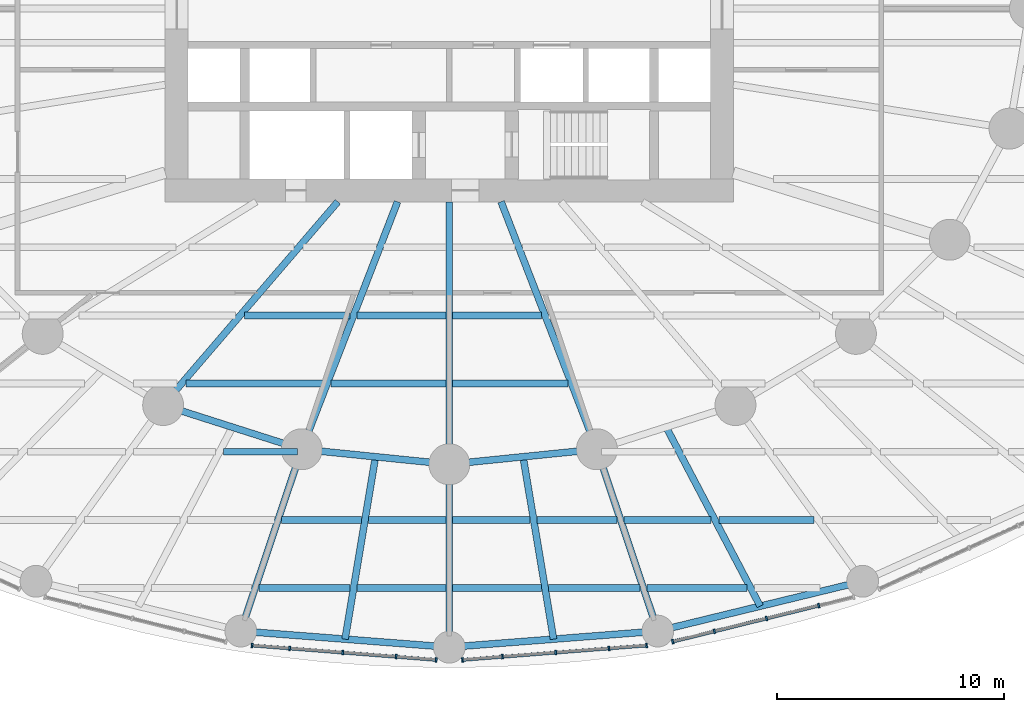
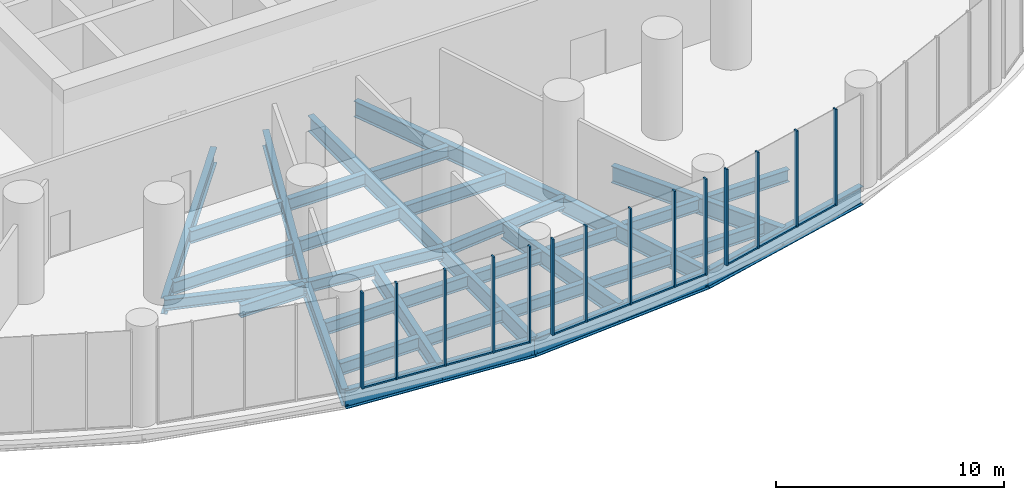
# One storey, part 4 of 23: 34 beams, 25 members, 3 elements without a shape of their own.
"""IFC4 building model written with IfcOpenShell, lengths in metres."""

import ifcopenshell
import ifcopenshell.guid

model = None  # the IFC model being written
_history = None  # IfcOwnerHistory: only IFC2X3 demands one
_inside = {}  # id of a spatial element -> (the spatial element, [elements in it])
_under = {}  # id of a project, library or spatial element -> (it, [spatial elements below it])
_declared = {}  # id of a project -> (the project, [libraries it declares])
_typed = {}  # id of a type object -> (the type object, [elements of that type])
_made_of = {}  # id of a material, layer set ... -> (it, [elements and type objects made of it])


def new_model(schema):
    """Start an empty IFC model of exactly this schema.

    Asked for "IFC4X3", IfcOpenShell would pick the latest addendum, in which some entities
    have other attributes; the version numbers below select the first issue.
    IFC2X3 requires an IfcOwnerHistory on every rooted entity: one is made here for all.
    """
    global model, _history
    if schema == "IFC4X3":
        model = ifcopenshell.file(schema_version=(4, 3, 0, 0))
    else:
        model = ifcopenshell.file(schema=schema)
    _inside.clear()
    _under.clear()
    _declared.clear()
    _typed.clear()
    _made_of.clear()
    _history = None
    if model.schema == "IFC2X3":
        org = make("IfcOrganization", Name="unknown")
        user = make(
            "IfcPersonAndOrganization",
            ThePerson=make("IfcPerson", FamilyName="unknown"),
            TheOrganization=org,
        )
        app = make(
            "IfcApplication",
            ApplicationDeveloper=org,
            Version="unknown",
            ApplicationFullName="unknown",
            ApplicationIdentifier="unknown",
        )
        _history = make(
            "IfcOwnerHistory",
            OwningUser=user,
            OwningApplication=app,
            ChangeAction="ADDED",
            CreationDate=0,
        )
    return model


def make(cls, **values):
    """One entity of the class cls with the attributes given. An attribute that is None is left unset."""
    return model.create_entity(
        cls, **{name: value for name, value in values.items() if value is not None}
    )


def rooted(cls, **values):
    """An entity with a GlobalId (a new one), such as an element, a storey or a relation."""
    return make(cls, GlobalId=ifcopenshell.guid.new(), OwnerHistory=_history, **values)


def si_unit(unit_type, name, prefix=None):
    """IfcSIUnit, for example si_unit("LENGTHUNIT", "METRE", prefix="MILLI")."""
    return make("IfcSIUnit", UnitType=unit_type, Prefix=prefix, Name=name)


def assignment(units):
    """IfcUnitAssignment: the units of a project."""
    return None if units is None else make("IfcUnitAssignment", Units=units)


def point(xyz):
    """IfcCartesianPoint."""
    return None if xyz is None else make("IfcCartesianPoint", Coordinates=xyz)


def direction(xyz):
    """IfcDirection."""
    return None if xyz is None else make("IfcDirection", DirectionRatios=xyz)


def frame(location, z_axis=None, x_axis=None):
    """IfcAxis2Placement3D, a coordinate frame: its origin and axes. An axis left out is left unset."""
    return make(
        "IfcAxis2Placement3D",
        Location=point(location),
        Axis=direction(z_axis),
        RefDirection=direction(x_axis),
    )


def frame_2d(location, x_axis=None):
    """IfcAxis2Placement2D, a coordinate frame in the plane: its origin and x axis."""
    return make(
        "IfcAxis2Placement2D", Location=point(location), RefDirection=direction(x_axis)
    )


def origin():
    """The frame at (0, 0, 0) with its axes left unset."""
    return frame((0.0, 0.0, 0.0))


def origin_2d():
    """The frame at (0, 0) in the plane with its x axis left unset."""
    return frame_2d((0.0, 0.0))


def place(relative_to, where):
    """IfcLocalPlacement: puts the frame where relative to a parent placement (None: the world)."""
    return make(
        "IfcLocalPlacement", PlacementRelTo=relative_to, RelativePlacement=where
    )


def context(
    kind, dimensions, precision=None, world=None, true_north=None, identifier=None
):
    """IfcGeometricRepresentationContext, for example the 3D "Model" context."""
    return make(
        "IfcGeometricRepresentationContext",
        ContextIdentifier=identifier,
        ContextType=kind,
        CoordinateSpaceDimension=dimensions,
        Precision=precision,
        WorldCoordinateSystem=world,
        TrueNorth=true_north,
    )


def subcontext(parent, identifier, kind, view, scale=None):
    """IfcGeometricRepresentationSubContext, for example "Body" below "Model"."""
    return make(
        "IfcGeometricRepresentationSubContext",
        ContextIdentifier=identifier,
        ContextType=kind,
        ParentContext=parent,
        TargetScale=scale,
        TargetView=view,
    )


def project(units=None, contexts=None):
    """IfcProject with its units and contexts."""
    return rooted(
        "IfcProject",
        Name="project",
        RepresentationContexts=contexts,
        UnitsInContext=assignment(units),
    )


def spatial(cls, under=None, at=None, **own):
    """A site, building, storey or space (cls), placed at a placement, below another one or the project."""
    s = rooted(cls, ObjectPlacement=at, **own)
    if under is not None:
        _under.setdefault(under.id(), (under, []))[1].append(s)
    return s


def profile(cls, at=None, kind="AREA", **sizes):
    """A parametric profile (cls). Its sizes go by their IFC names, for example OverallWidth=200.0."""
    return make(cls, ProfileType=kind, Position=at, **sizes)


def rectangle(**sizes):
    """IfcRectangleProfileDef."""
    return profile("IfcRectangleProfileDef", **sizes)


def i_section(**sizes):
    """IfcIShapeProfileDef."""
    return profile("IfcIShapeProfileDef", **sizes)


def extrude(swept, where, along, depth):
    """IfcExtrudedAreaSolid: the profile swept, set in the frame where, extruded along a direction by depth."""
    return make(
        "IfcExtrudedAreaSolid",
        SweptArea=swept,
        Position=where,
        ExtrudedDirection=direction(along),
        Depth=depth,
    )


def shape(context_of_items, identifier, shape_type, items):
    """IfcShapeRepresentation: the items that make up one representation, for example the "Body"."""
    return make(
        "IfcShapeRepresentation",
        ContextOfItems=context_of_items,
        RepresentationIdentifier=identifier,
        RepresentationType=shape_type,
        Items=items,
    )


def material(Name=None, Category=None):
    """IfcMaterial."""
    return make("IfcMaterial", Name=Name, Category=Category)


def material_profile(
    of_material, cross_section, Name=None, Category=None, Priority=None
):
    """IfcMaterialProfile: a cross section and its material."""
    return make(
        "IfcMaterialProfile",
        Name=Name,
        Material=of_material,
        Profile=cross_section,
        Priority=Priority,
        Category=Category,
    )


def profile_set(profiles, Name=None, composite=None):
    """IfcMaterialProfileSet."""
    return make(
        "IfcMaterialProfileSet",
        Name=Name,
        MaterialProfiles=profiles,
        CompositeProfile=composite,
    )


def made_of(thing, what):
    """Note that an element or type object is made of a material, layer set ...; save() writes the relation."""
    if what is not None:
        _made_of.setdefault(what.id(), (what, []))[1].append(thing)
    return thing


def type_object(cls, material=None, **own):
    """A type object (cls), such as IfcWallType, which elements share."""
    return made_of(rooted(cls, **own), material)


def element(
    cls,
    number,
    at=None,
    inside=None,
    cuts=None,
    type_object=None,
    material=None,
    context=None,
    identifier="Body",
    shape_type=None,
    held_by="IfcProductDefinitionShape",
    body=None,
    shapes=None,
    **own,
):
    """One element of the class cls, such as IfcWall. Its Tag is "e" and its number.

    at: its placement. inside: the storey or other place that contains it. cuts: it is an
    opening in that element (IfcRelVoidsElement). A single representation is given by context,
    identifier, shape_type and body (its items); several are given by shapes. held_by: the class
    of the entity that holds the representations. save() writes the other relations.
    """
    e = rooted(cls, Tag="e%d" % number, ObjectPlacement=at, **own)
    if body is not None:
        shapes = [shape(context, identifier, shape_type, body)]
    if shapes is not None:
        e.Representation = make(held_by, Representations=shapes)
    if inside is not None:
        _inside.setdefault(inside.id(), (inside, []))[1].append(e)
    if cuts is not None:
        rooted(
            "IfcRelVoidsElement", RelatingBuildingElement=cuts, RelatedOpeningElement=e
        )
    if type_object is not None:
        _typed.setdefault(type_object.id(), (type_object, []))[1].append(e)
    return made_of(e, material)


def aggregate(whole, parts):
    """IfcRelAggregates: a whole, such as a stair, and the parts it consists of."""
    return rooted("IfcRelAggregates", RelatingObject=whole, RelatedObjects=parts)


def save(model, path):
    """Write the relations noted so far, then the file.

    IfcRelAggregates (storeys below a building ...), IfcRelContainedInSpatialStructure (elements
    in a storey), IfcRelDefinesByType, IfcRelAssociatesMaterial and IfcRelDeclares: one each for
    every whole, place, type object, material and project.
    """
    for whole, parts in _under.values():
        aggregate(whole, parts)
    for where, things in _inside.values():
        rooted(
            "IfcRelContainedInSpatialStructure",
            RelatedElements=things,
            RelatingStructure=where,
        )
    for kind, things in _typed.values():
        rooted("IfcRelDefinesByType", RelatedObjects=things, RelatingType=kind)
    for what, things in _made_of.values():
        rooted("IfcRelAssociatesMaterial", RelatedObjects=things, RelatingMaterial=what)
    for by, libraries in _declared.values():
        rooted("IfcRelDeclares", RelatingContext=by, RelatedDefinitions=libraries)
    model.write(path)


model = new_model("IFC4")

# Units and contexts
model_context = context("Model", 3, precision=1e-05, world=origin(), true_north=direction((0.0, 1.0)))
body_context = subcontext(model_context, "Body", "Model", "MODEL_VIEW")
ifc_project = project(units=[si_unit("LENGTHUNIT", "METRE"), si_unit("AREAUNIT", "SQUARE_METRE"), si_unit("VOLUMEUNIT", "CUBIC_METRE"), si_unit("PLANEANGLEUNIT", "RADIAN"), si_unit("MASSUNIT", "GRAM", prefix="KILO")], contexts=[model_context])

# Site, building, storey
site_placement = place(None, origin())
site = spatial("IfcSite", under=ifc_project, at=site_placement, CompositionType="ELEMENT")
building_placement = place(site_placement, origin())
building = spatial("IfcBuilding", under=site, at=building_placement, Name="Hankou Lantern Tower", CompositionType="ELEMENT")
storey_placement = place(building_placement, frame((0.0, 0.0, 19.199951171875)))
storey = spatial("IfcBuildingStorey", under=building, at=storey_placement, Name="L03", CompositionType="ELEMENT", Elevation=19.199951171875)

# Beams
ifc_material_1 = material(Name="Steel Q355B", Category="steel")
ifc_material_profile_1 = material_profile(ifc_material_1, i_section(OverallWidth=0.300048828125, OverallDepth=0.587890625, WebThickness=0.011962890625, FlangeThickness=0.02001953125, FilletRadius=0.01806640625, at=origin_2d()), Name="HM588x300x12x20")
ifc_profile_set_1 = profile_set([ifc_material_profile_1], Name="Steel Q355B")
beam_type_1 = type_object("IfcBeamType", Name="EB16 RING BEAM HM588x300x12x20", PredefinedType="SPANDREL", material=ifc_profile_set_1)
beam_1_placement = place(storey_placement, frame((-12.5908203125, -17.446533203125, -0.5439453125), z_axis=(0.952690479428, -0.303942182671, 0.0), x_axis=(0.303942182671, 0.952690479428, 0.0)))
element("IfcBeam", 1, at=beam_1_placement, inside=storey, type_object=beam_type_1, Name="Ring beam R17-R18 L03", PredefinedType="SPANDREL", context=body_context, shape_type="SweptSolid", body=[
    extrude(i_section(OverallWidth=0.300048828125, OverallDepth=0.587890625, WebThickness=0.011962890625, FlangeThickness=0.02001953125, FilletRadius=0.01806640625, at=origin_2d()), origin(), (0.0, 0.0, 1.0), 6.398681640625),
])
for number, where, z_axis, x_axis, name in (
    (2, (-6.494873046875, -19.391357421875, -0.5439453125), (0.994896616842, -0.100899562915, 0.0), (0.100899562915, 0.994896616842, 0.0), "Ring beam R18-R19 L03"),
    (3, (0.0, -20.050048828125, -0.5439453125), (0.994896616842, 0.100899562915, 0.0), (-0.100899562915, 0.994896616842, 0.0), "Ring beam R19-R20 L03"),
):
    element("IfcBeam", number, at=place(storey_placement, frame(where, z_axis=z_axis, x_axis=x_axis)), inside=storey, type_object=beam_type_1, Name=name, PredefinedType="SPANDREL", context=body_context, shape_type="SweptSolid", body=[
        extrude(i_section(OverallWidth=0.300048828125, OverallDepth=0.587890625, WebThickness=0.011962890625, FlangeThickness=0.02001953125, FilletRadius=0.01806640625, at=origin_2d()), origin(), (0.0, 0.0, 1.0), 6.528076171875),
    ])

# Curtain wall, members
ifc_material_2 = material(Name="Glass, dark grey tinted laminated", Category="glass")
curtain_wall_type = type_object("IfcCurtainWallType", Name="CWP PODIUM CURTAIN WALL", PredefinedType="USERDEFINED", material=ifc_material_2)
curtain_wall_1_placement = place(storey_placement, origin())
curtain_wall_1 = element("IfcCurtainWall", 4, at=curtain_wall_1_placement, inside=storey, type_object=curtain_wall_type, Name="CWP L03 PC14", ObjectType="PODIUM GLAZING", PredefinedType="USERDEFINED")
ifc_material_3 = material(Name="Aluminium, black anodised", Category="aluminium")
ifc_material_profile_2 = material_profile(ifc_material_3, rectangle(XDim=0.080078125, YDim=0.199951171875, at=origin_2d()), Name="MU2 80X200")
ifc_profile_set_2 = profile_set([ifc_material_profile_2], Name="Aluminium, black anodised")
member_type_1 = type_object("IfcMemberType", Name="MU2 PODIUM MULLION 80X200", PredefinedType="MULLION", material=ifc_profile_set_2)
member_1_placement = place(storey_placement, frame((-8.678955078125, -28.0205078125, 0.0), z_axis=(0.0, 0.0, 1.0), x_axis=(0.996948515213, -0.078061885796, 0.0)))
member_1 = element("IfcMember", 5, at=member_1_placement, type_object=member_type_1, Name="CWP mullion 1", PredefinedType="MULLION", context=body_context, shape_type="SweptSolid", body=[
    extrude(rectangle(XDim=0.080078125, YDim=0.199951171875, at=origin_2d()), origin(), (0.0, 0.0, 1.0), 5.150146484375),
])
member_2_placement = place(storey_placement, frame((-7.025146484375, -28.14990234375, 0.0), z_axis=(0.0, 0.0, 1.0), x_axis=(0.996948515213, -0.078061885796, 0.0)))
member_2 = element("IfcMember", 6, at=member_2_placement, type_object=member_type_1, Name="CWP mullion 2", PredefinedType="MULLION", context=body_context, shape_type="SweptSolid", body=[
    extrude(rectangle(XDim=0.080078125, YDim=0.199951171875, at=origin_2d()), origin(), (0.0, 0.0, 1.0), 5.150146484375),
])
member_3_placement = place(storey_placement, frame((-4.68359375, -28.333251953125, 0.0), z_axis=(0.0, 0.0, 1.0), x_axis=(0.996948515213, -0.078061885796, 0.0)))
member_3 = element("IfcMember", 7, at=member_3_placement, type_object=member_type_1, Name="CWP mullion 3", PredefinedType="MULLION", context=body_context, shape_type="SweptSolid", body=[
    extrude(rectangle(XDim=0.080078125, YDim=0.199951171875, at=origin_2d()), origin(), (0.0, 0.0, 1.0), 5.150146484375),
])
member_4_placement = place(storey_placement, frame((-2.341796875, -28.5166015625, 0.0), z_axis=(0.0, 0.0, 1.0), x_axis=(0.996948515213, -0.078061885796, 0.0)))
member_4 = element("IfcMember", 8, at=member_4_placement, type_object=member_type_1, Name="CWP mullion 4", PredefinedType="MULLION", context=body_context, shape_type="SweptSolid", body=[
    extrude(rectangle(XDim=0.080078125, YDim=0.199951171875, at=origin_2d()), origin(), (0.0, 0.0, 1.0), 5.150146484375),
])
member_5_placement = place(storey_placement, frame((-0.578857421875, -28.65478515625, 0.0), z_axis=(0.0, 0.0, 1.0), x_axis=(0.996948515213, -0.078061885796, 0.0)))
member_5 = element("IfcMember", 9, at=member_5_placement, type_object=member_type_1, Name="CWP mullion 5", PredefinedType="MULLION", context=body_context, shape_type="SweptSolid", body=[
    extrude(rectangle(XDim=0.080078125, YDim=0.199951171875, at=origin_2d()), origin(), (0.0, 0.0, 1.0), 5.150146484375),
])

curtain_wall_2_placement = place(storey_placement, origin())
curtain_wall_2 = element("IfcCurtainWall", 10, at=curtain_wall_2_placement, inside=storey, type_object=curtain_wall_type, Name="CWP L03 PC15", ObjectType="PODIUM GLAZING", PredefinedType="USERDEFINED")
member_6_placement = place(storey_placement, frame((0.578857421875, -28.65478515625, 0.0), z_axis=(0.0, 0.0, 1.0), x_axis=(0.996948515213, 0.078061885796, 0.0)))
member_6 = element("IfcMember", 11, at=member_6_placement, type_object=member_type_1, Name="CWP mullion 1", PredefinedType="MULLION", context=body_context, shape_type="SweptSolid", body=[
    extrude(rectangle(XDim=0.080078125, YDim=0.199951171875, at=origin_2d()), origin(), (0.0, 0.0, 1.0), 5.150146484375),
])
member_7_placement = place(storey_placement, frame((2.341796875, -28.5166015625, 0.0), z_axis=(0.0, 0.0, 1.0), x_axis=(0.996948515213, 0.078061885796, 0.0)))
member_7 = element("IfcMember", 12, at=member_7_placement, type_object=member_type_1, Name="CWP mullion 2", PredefinedType="MULLION", context=body_context, shape_type="SweptSolid", body=[
    extrude(rectangle(XDim=0.080078125, YDim=0.199951171875, at=origin_2d()), origin(), (0.0, 0.0, 1.0), 5.150146484375),
])
member_8_placement = place(storey_placement, frame((4.68359375, -28.333251953125, 0.0), z_axis=(0.0, 0.0, 1.0), x_axis=(0.996948515213, 0.078061885796, 0.0)))
member_8 = element("IfcMember", 13, at=member_8_placement, type_object=member_type_1, Name="CWP mullion 3", PredefinedType="MULLION", context=body_context, shape_type="SweptSolid", body=[
    extrude(rectangle(XDim=0.080078125, YDim=0.199951171875, at=origin_2d()), origin(), (0.0, 0.0, 1.0), 5.150146484375),
])
member_9_placement = place(storey_placement, frame((7.025146484375, -28.14990234375, 0.0), z_axis=(0.0, 0.0, 1.0), x_axis=(0.996948515213, 0.078061885796, 0.0)))
member_9 = element("IfcMember", 14, at=member_9_placement, type_object=member_type_1, Name="CWP mullion 4", PredefinedType="MULLION", context=body_context, shape_type="SweptSolid", body=[
    extrude(rectangle(XDim=0.080078125, YDim=0.199951171875, at=origin_2d()), origin(), (0.0, 0.0, 1.0), 5.150146484375),
])
member_10_placement = place(storey_placement, frame((8.678955078125, -28.0205078125, 0.0), z_axis=(0.0, 0.0, 1.0), x_axis=(0.996948515213, 0.078061885796, 0.0)))
member_10 = element("IfcMember", 15, at=member_10_placement, type_object=member_type_1, Name="CWP mullion 5", PredefinedType="MULLION", context=body_context, shape_type="SweptSolid", body=[
    extrude(rectangle(XDim=0.080078125, YDim=0.199951171875, at=origin_2d()), origin(), (0.0, 0.0, 1.0), 5.150146484375),
])

curtain_wall_3_placement = place(storey_placement, origin())
curtain_wall_3 = element("IfcCurtainWall", 16, at=curtain_wall_3_placement, inside=storey, type_object=curtain_wall_type, Name="CWP L03 PC16", ObjectType="PODIUM GLAZING", PredefinedType="USERDEFINED")
member_11_placement = place(storey_placement, frame((9.83056640625, -27.852294921875, 0.0), z_axis=(0.0, 0.0, 1.0), x_axis=(0.970960955091, 0.239238006364, 0.0)))
member_11 = element("IfcMember", 17, at=member_11_placement, type_object=member_type_1, Name="CWP mullion 1", PredefinedType="MULLION", context=body_context, shape_type="SweptSolid", body=[
    extrude(rectangle(XDim=0.080078125, YDim=0.199951171875, at=origin_2d()), origin(), (0.0, 0.0, 1.0), 5.150146484375),
])
member_12_placement = place(storey_placement, frame((11.662841796875, -27.40087890625, 0.0), z_axis=(0.0, 0.0, 1.0), x_axis=(0.970960955091, 0.239238006364, 0.0)))
member_12 = element("IfcMember", 18, at=member_12_placement, type_object=member_type_1, Name="CWP mullion 2", PredefinedType="MULLION", context=body_context, shape_type="SweptSolid", body=[
    extrude(rectangle(XDim=0.080078125, YDim=0.199951171875, at=origin_2d()), origin(), (0.0, 0.0, 1.0), 5.150146484375),
])
member_13_placement = place(storey_placement, frame((13.95849609375, -26.835205078125, 0.0), z_axis=(0.0, 0.0, 1.0), x_axis=(0.970960955091, 0.239238006364, 0.0)))
member_13 = element("IfcMember", 19, at=member_13_placement, type_object=member_type_1, Name="CWP mullion 3", PredefinedType="MULLION", context=body_context, shape_type="SweptSolid", body=[
    extrude(rectangle(XDim=0.080078125, YDim=0.199951171875, at=origin_2d()), origin(), (0.0, 0.0, 1.0), 5.150146484375),
])
member_14_placement = place(storey_placement, frame((16.25439453125, -26.26953125, 0.0), z_axis=(0.0, 0.0, 1.0), x_axis=(0.970960955091, 0.239238006364, 0.0)))
member_14 = element("IfcMember", 20, at=member_14_placement, type_object=member_type_1, Name="CWP mullion 4", PredefinedType="MULLION", context=body_context, shape_type="SweptSolid", body=[
    extrude(rectangle(XDim=0.080078125, YDim=0.199951171875, at=origin_2d()), origin(), (0.0, 0.0, 1.0), 5.150146484375),
])

# Beams
ifc_material_4 = material(Name="Steel Q355B", Category="steel")
ifc_material_profile_3 = material_profile(ifc_material_4, i_section(OverallWidth=0.300048828125, OverallDepth=0.89990234375, WebThickness=0.01611328125, FlangeThickness=0.028076171875, FilletRadius=0.01806640625, at=origin_2d()), Name="HN900x300x16x28")
ifc_profile_set_3 = profile_set([ifc_material_profile_3], Name="Steel Q355B")
beam_type_2 = type_object("IfcBeamType", Name="PB13 PODIUM RADIAL BEAM HN900x300x16x28", PredefinedType="BEAM", material=ifc_profile_set_3)
beam_2_placement = place(storey_placement, frame((-6.494873046875, -19.391357421875, -0.699951171875), z_axis=(-0.317599116391, -0.948225079434, 0.0), x_axis=(0.948225079434, -0.317599116391, 0.0)))
element("IfcBeam", 21, at=beam_2_placement, inside=storey, type_object=beam_type_2, Name="Podium radial beam R18 L03", PredefinedType="BEAM", context=body_context, shape_type="SweptSolid", body=[
    extrude(i_section(OverallWidth=0.300048828125, OverallDepth=0.89990234375, WebThickness=0.01611328125, FlangeThickness=0.028076171875, FilletRadius=0.01806640625, at=origin_2d()), origin(), (0.0, 0.0, 1.0), 8.4365234375),
])
beam_3_placement = place(storey_placement, frame((0.0, -20.050048828125, -0.699951171875), z_axis=(0.0, -1.0, 0.0), x_axis=(1.0, 0.0, 0.0)))
element("IfcBeam", 22, at=beam_3_placement, inside=storey, type_object=beam_type_2, Name="Podium radial beam R19 L03", PredefinedType="BEAM", context=body_context, shape_type="SweptSolid", body=[
    extrude(i_section(OverallWidth=0.300048828125, OverallDepth=0.89990234375, WebThickness=0.01611328125, FlangeThickness=0.028076171875, FilletRadius=0.01806640625, at=origin_2d()), origin(), (0.0, 0.0, 1.0), 8.050048828125),
])
beam_4_placement = place(storey_placement, frame((6.494873046875, -19.391357421875, -0.699951171875), z_axis=(0.317599116391, -0.948225079434, 0.0), x_axis=(0.948225079434, 0.317599116391, 0.0)))
element("IfcBeam", 23, at=beam_4_placement, inside=storey, type_object=beam_type_2, Name="Podium radial beam R20 L03", PredefinedType="BEAM", context=body_context, shape_type="SweptSolid", body=[
    extrude(i_section(OverallWidth=0.300048828125, OverallDepth=0.89990234375, WebThickness=0.01611328125, FlangeThickness=0.028076171875, FilletRadius=0.01806640625, at=origin_2d()), origin(), (0.0, 0.0, 1.0), 8.4365234375),
])
ifc_material_5 = material(Name="Steel Q355B", Category="steel")
ifc_material_profile_4 = material_profile(ifc_material_5, i_section(OverallWidth=0.300048828125, OverallDepth=1.0, WebThickness=0.01904296875, FlangeThickness=0.035888671875, FilletRadius=0.01806640625, at=origin_2d()), Name="HN1000x300x19x36")
ifc_profile_set_4 = profile_set([ifc_material_profile_4], Name="Steel Q355B")
beam_type_3 = type_object("IfcBeamType", Name="PR22 PODIUM RING BEAM HN1000x300x19x36", PredefinedType="BEAM", material=ifc_profile_set_4)
for number, where, z_axis, x_axis, name in (
    (24, (-9.17431640625, -27.39111328125, -0.75), (0.997027266507, -0.077049528499, 0.0), (0.077049528499, 0.997027266507, 0.0), "Podium ring beam R18-R19 L03"),
    (25, (0.0, -28.10009765625, -0.75), (0.997027266507, 0.077049528499, 0.0), (-0.077049528499, 0.997027266507, 0.0), "Podium ring beam R19-R20 L03"),
):
    element("IfcBeam", number, at=place(storey_placement, frame(where, z_axis=z_axis, x_axis=x_axis)), inside=storey, type_object=beam_type_3, Name=name, PredefinedType="BEAM", context=body_context, shape_type="SweptSolid", body=[
        extrude(i_section(OverallWidth=0.300048828125, OverallDepth=1.0, WebThickness=0.01904296875, FlangeThickness=0.035888671875, FilletRadius=0.01806640625, at=origin_2d()), origin(), (0.0, 0.0, 1.0), 9.20166015625),
    ])
beam_5_placement = place(storey_placement, frame((9.17431640625, -27.39111328125, -0.75), z_axis=(0.971677242441, 0.23631194748, 0.0), x_axis=(-0.23631194748, 0.971677242441, 0.0)))
element("IfcBeam", 26, at=beam_5_placement, inside=storey, type_object=beam_type_3, Name="Podium ring beam R20-R21 L03", PredefinedType="BEAM", context=body_context, shape_type="SweptSolid", body=[
    extrude(i_section(OverallWidth=0.300048828125, OverallDepth=1.0, WebThickness=0.01904296875, FlangeThickness=0.035888671875, FilletRadius=0.01806640625, at=origin_2d()), origin(), (0.0, 0.0, 1.0), 9.2744140625),
])
ifc_material_6 = material(Name="Steel Q355B", Category="steel")
ifc_material_profile_5 = material_profile(ifc_material_6, i_section(OverallWidth=0.300048828125, OverallDepth=0.89990234375, WebThickness=0.01611328125, FlangeThickness=0.028076171875, FilletRadius=0.01806640625, at=origin_2d()), Name="HN900x300x16x28")
ifc_profile_set_5 = profile_set([ifc_material_profile_5], Name="Steel Q355B")
beam_type_4 = type_object("IfcBeamType", Name="PS13 PODIUM SECONDARY BEAM HN900x300x16x28", PredefinedType="JOIST", material=ifc_profile_set_5)
for number, where, z_axis, x_axis, name in (
    (27, (-3.24755859375, -19.720703125, -0.699951171875), (-0.164652019445, -0.986351718452, 0.0), (0.986351718452, -0.164652019445, 0.0), "Podium secondary beam bay R18 L03"),
    (28, (3.24755859375, -19.720703125, -0.699951171875), (0.164652019445, -0.986351718452, 0.0), (0.986351718452, 0.164652019445, 0.0), "Podium secondary beam bay R19 L03"),
):
    element("IfcBeam", number, at=place(storey_placement, frame(where, z_axis=z_axis, x_axis=x_axis)), inside=storey, type_object=beam_type_4, Name=name, PredefinedType="JOIST", context=body_context, shape_type="SweptSolid", body=[
        extrude(i_section(OverallWidth=0.300048828125, OverallDepth=0.89990234375, WebThickness=0.01611328125, FlangeThickness=0.028076171875, FilletRadius=0.01806640625, at=origin_2d()), origin(), (0.0, 0.0, 1.0), 8.135986328125),
    ])
beam_6_placement = place(storey_placement, frame((9.54296875, -18.4189453125, -0.699951171875), z_axis=(0.465026961303, -0.88529651827, 0.0), x_axis=(0.88529651827, 0.465026961303, 0.0)))
element("IfcBeam", 29, at=beam_6_placement, inside=storey, type_object=beam_type_4, Name="Podium secondary beam bay R20 L03", PredefinedType="JOIST", context=body_context, shape_type="SweptSolid", body=[
    extrude(i_section(OverallWidth=0.300048828125, OverallDepth=0.89990234375, WebThickness=0.01611328125, FlangeThickness=0.028076171875, FilletRadius=0.01806640625, at=origin_2d()), origin(), (0.0, 0.0, 1.0), 8.896728515625),
])
ifc_material_7 = material(Name="Steel Q355B", Category="steel")
ifc_material_profile_6 = material_profile(ifc_material_7, i_section(OverallWidth=0.300048828125, OverallDepth=0.85009765625, WebThickness=0.01611328125, FlangeThickness=0.027099609375, FilletRadius=0.01806640625, at=origin_2d()), Name="HN850x300x16x27")
ifc_profile_set_6 = profile_set([ifc_material_profile_6], Name="Steel Q355B")
beam_type_5 = type_object("IfcBeamType", Name="RB12 RADIAL BEAM HN850x300x16x27", PredefinedType="BEAM", material=ifc_profile_set_6)
beam_7_placement = place(storey_placement, frame((-4.907470703125, -8.5, -0.675048828125), z_axis=(-0.651519061225, -0.758632264579, 0.0), x_axis=(0.758632264579, -0.651519061225, 0.0)))
element("IfcBeam", 30, at=beam_7_placement, inside=storey, type_object=beam_type_5, Name="Radial beam R17 L03", PredefinedType="BEAM", context=body_context, shape_type="SweptSolid", body=[
    extrude(i_section(OverallWidth=0.300048828125, OverallDepth=0.85009765625, WebThickness=0.01611328125, FlangeThickness=0.027099609375, FilletRadius=0.01806640625, at=origin_2d()), origin(), (0.0, 0.0, 1.0), 11.79296875),
])
beam_8_placement = place(storey_placement, frame((-2.277587890625, -8.5, -0.675048828125), z_axis=(-0.361089103374, -0.932531318201, 0.0), x_axis=(0.932531318201, -0.361089103374, 0.0)))
element("IfcBeam", 31, at=beam_8_placement, inside=storey, type_object=beam_type_5, Name="Radial beam R18 L03", PredefinedType="BEAM", context=body_context, shape_type="SweptSolid", body=[
    extrude(i_section(OverallWidth=0.300048828125, OverallDepth=0.85009765625, WebThickness=0.01611328125, FlangeThickness=0.027099609375, FilletRadius=0.01806640625, at=origin_2d()), origin(), (0.0, 0.0, 1.0), 11.679443359375),
])
beam_9_placement = place(storey_placement, frame((0.0, -8.5, -0.675048828125), z_axis=(0.0, -1.0, 0.0), x_axis=(1.0, 0.0, 0.0)))
element("IfcBeam", 32, at=beam_9_placement, inside=storey, type_object=beam_type_5, Name="Radial beam R19 L03", PredefinedType="BEAM", context=body_context, shape_type="SweptSolid", body=[
    extrude(i_section(OverallWidth=0.300048828125, OverallDepth=0.85009765625, WebThickness=0.01611328125, FlangeThickness=0.027099609375, FilletRadius=0.01806640625, at=origin_2d()), origin(), (0.0, 0.0, 1.0), 11.550048828125),
])
beam_10_placement = place(storey_placement, frame((2.277587890625, -8.5, -0.675048828125), z_axis=(0.361089103374, -0.932531318201, 0.0), x_axis=(0.932531318201, 0.361089103374, 0.0)))
element("IfcBeam", 33, at=beam_10_placement, inside=storey, type_object=beam_type_5, Name="Radial beam R20 L03", PredefinedType="BEAM", context=body_context, shape_type="SweptSolid", body=[
    extrude(i_section(OverallWidth=0.300048828125, OverallDepth=0.85009765625, WebThickness=0.01611328125, FlangeThickness=0.027099609375, FilletRadius=0.01806640625, at=origin_2d()), origin(), (0.0, 0.0, 1.0), 11.679443359375),
])
ifc_material_8 = material(Name="Steel Q355B", Category="steel")
ifc_material_profile_7 = material_profile(ifc_material_8, i_section(OverallWidth=0.300048828125, OverallDepth=0.64990234375, WebThickness=0.010986328125, FlangeThickness=0.01708984375, FilletRadius=0.01806640625, at=origin_2d()), Name="HN650x300x11x17")
ifc_profile_set_7 = profile_set([ifc_material_profile_7], Name="Steel Q355B")
beam_type_6 = type_object("IfcBeamType", Name="SB8 SECONDARY BEAM HN650x300x11x17", PredefinedType="JOIST", material=ifc_profile_set_7)
beam_11_placement = place(storey_placement, frame((-8.3828125, -25.5, -0.574951171875), z_axis=(1.0, 0.0, 0.0), x_axis=(0.0, 1.0, 0.0)))
element("IfcBeam", 34, at=beam_11_placement, inside=storey, type_object=beam_type_6, Name="Floor joist J003 L03", PredefinedType="JOIST", context=body_context, shape_type="SweptSolid", body=[
    extrude(i_section(OverallWidth=0.300048828125, OverallDepth=0.64990234375, WebThickness=0.010986328125, FlangeThickness=0.01708984375, FilletRadius=0.01806640625, at=origin_2d()), origin(), (0.0, 0.0, 1.0), 4.0185546875),
])
for number, where, z_axis, x_axis, name in (
    (35, (-4.060302734375, -25.5, -0.574951171875), (1.0, 0.0, 0.0), (0.0, 1.0, 0.0), "Floor joist J004 L03"),
    (36, (0.14990234375, -25.5, -0.574951171875), (1.0, 0.0, 0.0), (0.0, 1.0, 0.0), "Floor joist J005 L03"),
):
    element("IfcBeam", number, at=place(storey_placement, frame(where, z_axis=z_axis, x_axis=x_axis)), inside=storey, type_object=beam_type_6, Name=name, PredefinedType="JOIST", context=body_context, shape_type="SweptSolid", body=[
        extrude(i_section(OverallWidth=0.300048828125, OverallDepth=0.64990234375, WebThickness=0.010986328125, FlangeThickness=0.01708984375, FilletRadius=0.01806640625, at=origin_2d()), origin(), (0.0, 0.0, 1.0), 3.910400390625),
    ])
beam_12_placement = place(storey_placement, frame((4.3642578125, -25.5, -0.574951171875), z_axis=(1.0, 0.0, 0.0), x_axis=(0.0, 1.0, 0.0)))
element("IfcBeam", 37, at=beam_12_placement, inside=storey, type_object=beam_type_6, Name="Floor joist J006 L03", PredefinedType="JOIST", context=body_context, shape_type="SweptSolid", body=[
    extrude(i_section(OverallWidth=0.300048828125, OverallDepth=0.64990234375, WebThickness=0.010986328125, FlangeThickness=0.01708984375, FilletRadius=0.01806640625, at=origin_2d()), origin(), (0.0, 0.0, 1.0), 4.0185546875),
])
beam_13_placement = place(storey_placement, frame((8.698974609375, -25.5, -0.574951171875), z_axis=(1.0, 0.0, 0.0), x_axis=(0.0, 1.0, 0.0)))
element("IfcBeam", 38, at=beam_13_placement, inside=storey, type_object=beam_type_6, Name="Floor joist J007 L03", PredefinedType="JOIST", context=body_context, shape_type="SweptSolid", body=[
    extrude(i_section(OverallWidth=0.300048828125, OverallDepth=0.64990234375, WebThickness=0.010986328125, FlangeThickness=0.01708984375, FilletRadius=0.01806640625, at=origin_2d()), origin(), (0.0, 0.0, 1.0), 4.39404296875),
])
beam_14_placement = place(storey_placement, frame((-7.3779296875, -22.5, -0.574951171875), z_axis=(1.0, 0.0, 0.0), x_axis=(0.0, 1.0, 0.0)))
element("IfcBeam", 39, at=beam_14_placement, inside=storey, type_object=beam_type_6, Name="Floor joist J013 L03", PredefinedType="JOIST", context=body_context, shape_type="SweptSolid", body=[
    extrude(i_section(OverallWidth=0.300048828125, OverallDepth=0.64990234375, WebThickness=0.010986328125, FlangeThickness=0.01708984375, FilletRadius=0.01806640625, at=origin_2d()), origin(), (0.0, 0.0, 1.0), 3.514404296875),
])
for number, where, z_axis, x_axis, name in (
    (40, (-3.559326171875, -22.5, -0.574951171875), (1.0, 0.0, 0.0), (0.0, 1.0, 0.0), "Floor joist J014 L03"),
    (41, (0.14990234375, -22.5, -0.574951171875), (1.0, 0.0, 0.0), (0.0, 1.0, 0.0), "Floor joist J015 L03"),
):
    element("IfcBeam", number, at=place(storey_placement, frame(where, z_axis=z_axis, x_axis=x_axis)), inside=storey, type_object=beam_type_6, Name=name, PredefinedType="JOIST", context=body_context, shape_type="SweptSolid", body=[
        extrude(i_section(OverallWidth=0.300048828125, OverallDepth=0.64990234375, WebThickness=0.010986328125, FlangeThickness=0.01708984375, FilletRadius=0.01806640625, at=origin_2d()), origin(), (0.0, 0.0, 1.0), 3.409423828125),
    ])
beam_15_placement = place(storey_placement, frame((3.863525390625, -22.5, -0.574951171875), z_axis=(1.0, 0.0, 0.0), x_axis=(0.0, 1.0, 0.0)))
element("IfcBeam", 42, at=beam_15_placement, inside=storey, type_object=beam_type_6, Name="Floor joist J016 L03", PredefinedType="JOIST", context=body_context, shape_type="SweptSolid", body=[
    extrude(i_section(OverallWidth=0.300048828125, OverallDepth=0.64990234375, WebThickness=0.010986328125, FlangeThickness=0.01708984375, FilletRadius=0.01806640625, at=origin_2d()), origin(), (0.0, 0.0, 1.0), 3.514404296875),
])
beam_16_placement = place(storey_placement, frame((7.6943359375, -22.5, -0.574951171875), z_axis=(1.0, 0.0, 0.0), x_axis=(0.0, 1.0, 0.0)))
element("IfcBeam", 43, at=beam_16_placement, inside=storey, type_object=beam_type_6, Name="Floor joist J017 L03", PredefinedType="JOIST", context=body_context, shape_type="SweptSolid", body=[
    extrude(i_section(OverallWidth=0.300048828125, OverallDepth=0.64990234375, WebThickness=0.010986328125, FlangeThickness=0.01708984375, FilletRadius=0.01806640625, at=origin_2d()), origin(), (0.0, 0.0, 1.0), 3.82275390625),
])
beam_17_placement = place(storey_placement, frame((11.85595703125, -22.5, -0.574951171875), z_axis=(1.0, 0.0, 0.0), x_axis=(0.0, 1.0, 0.0)))
element("IfcBeam", 44, at=beam_17_placement, inside=storey, type_object=beam_type_6, Name="Floor joist J018 L03", PredefinedType="JOIST", context=body_context, shape_type="SweptSolid", body=[
    extrude(i_section(OverallWidth=0.300048828125, OverallDepth=0.64990234375, WebThickness=0.010986328125, FlangeThickness=0.01708984375, FilletRadius=0.01806640625, at=origin_2d()), origin(), (0.0, 0.0, 1.0), 4.197021484375),
])
beam_18_placement = place(storey_placement, frame((-9.94140625, -19.5, -0.574951171875), z_axis=(1.0, 0.0, 0.0), x_axis=(0.0, 1.0, 0.0)))
element("IfcBeam", 45, at=beam_18_placement, inside=storey, type_object=beam_type_6, Name="Floor joist J025 L03", PredefinedType="JOIST", context=body_context, shape_type="SweptSolid", body=[
    extrude(i_section(OverallWidth=0.300048828125, OverallDepth=0.64990234375, WebThickness=0.010986328125, FlangeThickness=0.01708984375, FilletRadius=0.01806640625, at=origin_2d()), origin(), (0.0, 0.0, 1.0), 3.251953125),
])
beam_19_placement = place(storey_placement, frame((-11.580322265625, -16.5, -0.574951171875), z_axis=(1.0, 0.0, 0.0), x_axis=(0.0, 1.0, 0.0)))
element("IfcBeam", 46, at=beam_19_placement, inside=storey, type_object=beam_type_6, Name="Floor joist J037 L03", PredefinedType="JOIST", context=body_context, shape_type="SweptSolid", body=[
    extrude(i_section(OverallWidth=0.300048828125, OverallDepth=0.64990234375, WebThickness=0.010986328125, FlangeThickness=0.01708984375, FilletRadius=0.01806640625, at=origin_2d()), origin(), (0.0, 0.0, 1.0), 6.044189453125),
])
for number, where, z_axis, x_axis, name in (
    (47, (-5.21435546875, -16.5, -0.574951171875), (1.0, 0.0, 0.0), (0.0, 1.0, 0.0), "Floor joist J038 L03"),
    (48, (0.14990234375, -16.5, -0.574951171875), (1.0, 0.0, 0.0), (0.0, 1.0, 0.0), "Floor joist J039 L03"),
):
    element("IfcBeam", number, at=place(storey_placement, frame(where, z_axis=z_axis, x_axis=x_axis)), inside=storey, type_object=beam_type_6, Name=name, PredefinedType="JOIST", context=body_context, shape_type="SweptSolid", body=[
        extrude(i_section(OverallWidth=0.300048828125, OverallDepth=0.64990234375, WebThickness=0.010986328125, FlangeThickness=0.01708984375, FilletRadius=0.01806640625, at=origin_2d()), origin(), (0.0, 0.0, 1.0), 5.064453125),
    ])
beam_20_placement = place(storey_placement, frame((-9.00390625, -13.5, -0.574951171875), z_axis=(1.0, 0.0, 0.0), x_axis=(0.0, 1.0, 0.0)))
element("IfcBeam", 49, at=beam_20_placement, inside=storey, type_object=beam_type_6, Name="Floor joist J050 L03", PredefinedType="JOIST", context=body_context, shape_type="SweptSolid", body=[
    extrude(i_section(OverallWidth=0.300048828125, OverallDepth=0.64990234375, WebThickness=0.010986328125, FlangeThickness=0.01708984375, FilletRadius=0.01806640625, at=origin_2d()), origin(), (0.0, 0.0, 1.0), 4.62939453125),
])
for number, where, z_axis, x_axis, name in (
    (50, (-4.052734375, -13.5, -0.574951171875), (1.0, 0.0, 0.0), (0.0, 1.0, 0.0), "Floor joist J051 L03"),
    (51, (0.14990234375, -13.5, -0.574951171875), (1.0, 0.0, 0.0), (0.0, 1.0, 0.0), "Floor joist J052 L03"),
):
    element("IfcBeam", number, at=place(storey_placement, frame(where, z_axis=z_axis, x_axis=x_axis)), inside=storey, type_object=beam_type_6, Name=name, PredefinedType="JOIST", context=body_context, shape_type="SweptSolid", body=[
        extrude(i_section(OverallWidth=0.300048828125, OverallDepth=0.64990234375, WebThickness=0.010986328125, FlangeThickness=0.01708984375, FilletRadius=0.01806640625, at=origin_2d()), origin(), (0.0, 0.0, 1.0), 3.90283203125),
    ])

# Member
ifc_material_9 = material(Name="Aluminium, black anodised", Category="aluminium")
ifc_material_profile_8 = material_profile(ifc_material_9, rectangle(XDim=0.14990234375, YDim=0.080078125, at=origin_2d()), Name="TR2 150X80")
ifc_profile_set_8 = profile_set([ifc_material_profile_8], Name="Aluminium, black anodised")
member_type_2 = type_object("IfcMemberType", Name="TR2 PODIUM TRANSOM 150X80", PredefinedType="USERDEFINED", material=ifc_profile_set_8)
member_15_placement = place(storey_placement, frame((-8.638916015625, -28.023681640625, 0.0400390625), z_axis=(0.996957260436, -0.077950117788, 0.0), x_axis=(0.077950117788, 0.996957260436, 0.0)))
member_15 = element("IfcMember", 52, at=member_15_placement, type_object=member_type_2, Name="CWP transom 1", ObjectType="TRANSOM", PredefinedType="USERDEFINED", context=body_context, shape_type="SweptSolid", body=[
    extrude(rectangle(XDim=0.14990234375, YDim=0.080078125, at=origin_2d()), origin(), (0.0, 0.0, 1.0), 1.57861328125),
])

member_16_placement = place(storey_placement, frame((-6.9853515625, -28.153076171875, 0.0400390625), z_axis=(0.996952341782, -0.078013000301, 0.0), x_axis=(0.078013000301, 0.996952341782, 0.0)))
member_16 = element("IfcMember", 53, at=member_16_placement, type_object=member_type_2, Name="CWP transom 2", ObjectType="TRANSOM", PredefinedType="USERDEFINED", context=body_context, shape_type="SweptSolid", body=[
    extrude(rectangle(XDim=0.14990234375, YDim=0.080078125, at=origin_2d()), origin(), (0.0, 0.0, 1.0), 2.268798828125),
])

member_17_placement = place(storey_placement, frame((-4.6435546875, -28.33642578125, 0.0400390625), z_axis=(0.996952341782, -0.078013000301, 0.0), x_axis=(0.078013000301, 0.996952341782, 0.0)))
member_17 = element("IfcMember", 54, at=member_17_placement, type_object=member_type_2, Name="CWP transom 3", ObjectType="TRANSOM", PredefinedType="USERDEFINED", context=body_context, shape_type="SweptSolid", body=[
    extrude(rectangle(XDim=0.14990234375, YDim=0.080078125, at=origin_2d()), origin(), (0.0, 0.0, 1.0), 2.268798828125),
])

member_18_placement = place(storey_placement, frame((-2.3017578125, -28.519775390625, 0.0400390625), z_axis=(0.996946329832, -0.078089790848, 0.0), x_axis=(0.078089790848, 0.996946329832, 0.0)))
member_18 = element("IfcMember", 55, at=member_18_placement, type_object=member_type_2, Name="CWP transom 4", ObjectType="TRANSOM", PredefinedType="USERDEFINED", context=body_context, shape_type="SweptSolid", body=[
    extrude(rectangle(XDim=0.14990234375, YDim=0.080078125, at=origin_2d()), origin(), (0.0, 0.0, 1.0), 1.688232421875),
])

aggregate(curtain_wall_1, [member_1, member_2, member_3, member_4, member_5, member_15, member_16, member_17, member_18])

member_19_placement = place(storey_placement, frame((0.61865234375, -28.651611328125, 0.0400390625), z_axis=(0.996946329832, 0.078089790848, 0.0), x_axis=(-0.078089790848, 0.996946329832, 0.0)))
member_19 = element("IfcMember", 56, at=member_19_placement, type_object=member_type_2, Name="CWP transom 1", ObjectType="TRANSOM", PredefinedType="USERDEFINED", context=body_context, shape_type="SweptSolid", body=[
    extrude(rectangle(XDim=0.14990234375, YDim=0.080078125, at=origin_2d()), origin(), (0.0, 0.0, 1.0), 1.688232421875),
])

member_20_placement = place(storey_placement, frame((2.381591796875, -28.513427734375, 0.0400390625), z_axis=(0.996952341782, 0.078013000301, 0.0), x_axis=(-0.078013000301, 0.996952341782, 0.0)))
member_20 = element("IfcMember", 57, at=member_20_placement, type_object=member_type_2, Name="CWP transom 2", ObjectType="TRANSOM", PredefinedType="USERDEFINED", context=body_context, shape_type="SweptSolid", body=[
    extrude(rectangle(XDim=0.14990234375, YDim=0.080078125, at=origin_2d()), origin(), (0.0, 0.0, 1.0), 2.268798828125),
])

member_21_placement = place(storey_placement, frame((4.723388671875, -28.330078125, 0.0400390625), z_axis=(0.996952341782, 0.078013000301, 0.0), x_axis=(-0.078013000301, 0.996952341782, 0.0)))
member_21 = element("IfcMember", 58, at=member_21_placement, type_object=member_type_2, Name="CWP transom 3", ObjectType="TRANSOM", PredefinedType="USERDEFINED", context=body_context, shape_type="SweptSolid", body=[
    extrude(rectangle(XDim=0.14990234375, YDim=0.080078125, at=origin_2d()), origin(), (0.0, 0.0, 1.0), 2.268798828125),
])

member_22_placement = place(storey_placement, frame((7.065185546875, -28.146728515625, 0.0400390625), z_axis=(0.996957260436, 0.077950117788, 0.0), x_axis=(-0.077950117788, 0.996957260436, 0.0)))
member_22 = element("IfcMember", 59, at=member_22_placement, type_object=member_type_2, Name="CWP transom 4", ObjectType="TRANSOM", PredefinedType="USERDEFINED", context=body_context, shape_type="SweptSolid", body=[
    extrude(rectangle(XDim=0.14990234375, YDim=0.080078125, at=origin_2d()), origin(), (0.0, 0.0, 1.0), 1.57861328125),
])

aggregate(curtain_wall_2, [member_6, member_7, member_8, member_9, member_10, member_19, member_20, member_21, member_22])

member_23_placement = place(storey_placement, frame((9.869384765625, -27.8427734375, 0.0400390625), z_axis=(0.970955515261, 0.23926008314, 0.0), x_axis=(-0.23926008314, 0.970955515261, 0.0)))
member_23 = element("IfcMember", 60, at=member_23_placement, type_object=member_type_2, Name="CWP transom 1", ObjectType="TRANSOM", PredefinedType="USERDEFINED", context=body_context, shape_type="SweptSolid", body=[
    extrude(rectangle(XDim=0.14990234375, YDim=0.080078125, at=origin_2d()), origin(), (0.0, 0.0, 1.0), 1.80712890625),
])

member_24_placement = place(storey_placement, frame((11.70166015625, -27.391357421875, 0.0400390625), z_axis=(0.970948059845, 0.239290336378, 0.0), x_axis=(-0.239290336378, 0.970948059845, 0.0)))
member_24 = element("IfcMember", 61, at=member_24_placement, type_object=member_type_2, Name="CWP transom 2", ObjectType="TRANSOM", PredefinedType="USERDEFINED", context=body_context, shape_type="SweptSolid", body=[
    extrude(rectangle(XDim=0.14990234375, YDim=0.080078125, at=origin_2d()), origin(), (0.0, 0.0, 1.0), 2.284423828125),
])

member_25_placement = place(storey_placement, frame((13.99755859375, -26.82568359375, 0.0400390625), z_axis=(0.970948059845, 0.239290336378, 0.0), x_axis=(-0.239290336378, 0.970948059845, 0.0)))
member_25 = element("IfcMember", 62, at=member_25_placement, type_object=member_type_2, Name="CWP transom 3", ObjectType="TRANSOM", PredefinedType="USERDEFINED", context=body_context, shape_type="SweptSolid", body=[
    extrude(rectangle(XDim=0.14990234375, YDim=0.080078125, at=origin_2d()), origin(), (0.0, 0.0, 1.0), 2.284423828125),
])

aggregate(curtain_wall_3, [member_11, member_12, member_13, member_14, member_23, member_24, member_25])

save(model, "model.ifc")
